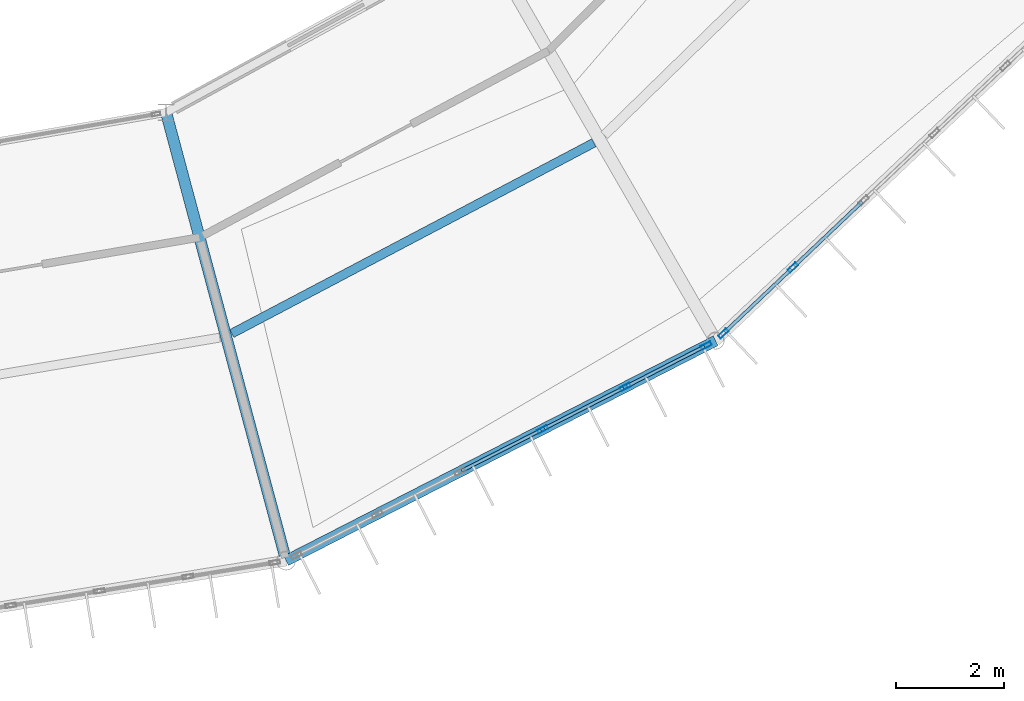
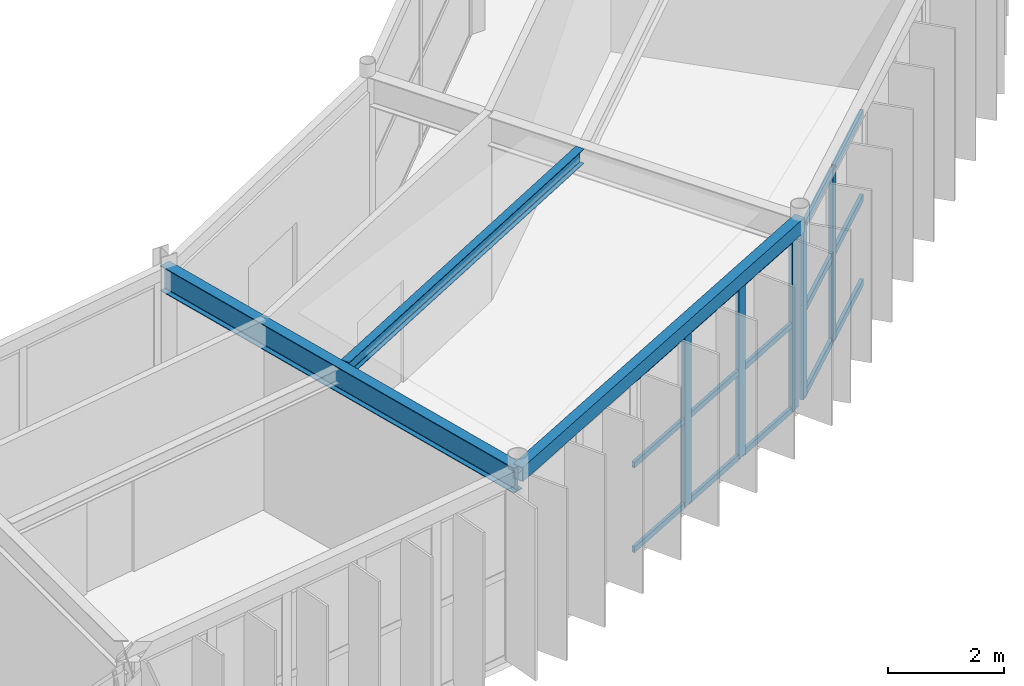
# One storey, part 49 of 148: 20 members, 3 beams, 2 elements without a shape of their own.
"""IFC4 building model written with IfcOpenShell, lengths in metres."""

import ifcopenshell
import ifcopenshell.guid

model = None  # the IFC model being written
_history = None  # IfcOwnerHistory: only IFC2X3 demands one
_inside = {}  # id of a spatial element -> (the spatial element, [elements in it])
_under = {}  # id of a project, library or spatial element -> (it, [spatial elements below it])
_declared = {}  # id of a project -> (the project, [libraries it declares])
_typed = {}  # id of a type object -> (the type object, [elements of that type])
_made_of = {}  # id of a material, layer set ... -> (it, [elements and type objects made of it])


def new_model(schema):
    """Start an empty IFC model of exactly this schema.

    Asked for "IFC4X3", IfcOpenShell would pick the latest addendum, in which some entities
    have other attributes; the version numbers below select the first issue.
    IFC2X3 requires an IfcOwnerHistory on every rooted entity: one is made here for all.
    """
    global model, _history
    if schema == "IFC4X3":
        model = ifcopenshell.file(schema_version=(4, 3, 0, 0))
    else:
        model = ifcopenshell.file(schema=schema)
    _inside.clear()
    _under.clear()
    _declared.clear()
    _typed.clear()
    _made_of.clear()
    _history = None
    if model.schema == "IFC2X3":
        org = make("IfcOrganization", Name="unknown")
        user = make(
            "IfcPersonAndOrganization",
            ThePerson=make("IfcPerson", FamilyName="unknown"),
            TheOrganization=org,
        )
        app = make(
            "IfcApplication",
            ApplicationDeveloper=org,
            Version="unknown",
            ApplicationFullName="unknown",
            ApplicationIdentifier="unknown",
        )
        _history = make(
            "IfcOwnerHistory",
            OwningUser=user,
            OwningApplication=app,
            ChangeAction="ADDED",
            CreationDate=0,
        )
    return model


def make(cls, **values):
    """One entity of the class cls with the attributes given. An attribute that is None is left unset."""
    return model.create_entity(
        cls, **{name: value for name, value in values.items() if value is not None}
    )


def rooted(cls, **values):
    """An entity with a GlobalId (a new one), such as an element, a storey or a relation."""
    return make(cls, GlobalId=ifcopenshell.guid.new(), OwnerHistory=_history, **values)


def si_unit(unit_type, name, prefix=None):
    """IfcSIUnit, for example si_unit("LENGTHUNIT", "METRE", prefix="MILLI")."""
    return make("IfcSIUnit", UnitType=unit_type, Prefix=prefix, Name=name)


def assignment(units):
    """IfcUnitAssignment: the units of a project."""
    return None if units is None else make("IfcUnitAssignment", Units=units)


def point(xyz):
    """IfcCartesianPoint."""
    return None if xyz is None else make("IfcCartesianPoint", Coordinates=xyz)


def direction(xyz):
    """IfcDirection."""
    return None if xyz is None else make("IfcDirection", DirectionRatios=xyz)


def frame(location, z_axis=None, x_axis=None):
    """IfcAxis2Placement3D, a coordinate frame: its origin and axes. An axis left out is left unset."""
    return make(
        "IfcAxis2Placement3D",
        Location=point(location),
        Axis=direction(z_axis),
        RefDirection=direction(x_axis),
    )


def frame_2d(location, x_axis=None):
    """IfcAxis2Placement2D, a coordinate frame in the plane: its origin and x axis."""
    return make(
        "IfcAxis2Placement2D", Location=point(location), RefDirection=direction(x_axis)
    )


def origin():
    """The frame at (0, 0, 0) with its axes left unset."""
    return frame((0.0, 0.0, 0.0))


def origin_2d():
    """The frame at (0, 0) in the plane with its x axis left unset."""
    return frame_2d((0.0, 0.0))


def place(relative_to, where):
    """IfcLocalPlacement: puts the frame where relative to a parent placement (None: the world)."""
    return make(
        "IfcLocalPlacement", PlacementRelTo=relative_to, RelativePlacement=where
    )


def context(
    kind, dimensions, precision=None, world=None, true_north=None, identifier=None
):
    """IfcGeometricRepresentationContext, for example the 3D "Model" context."""
    return make(
        "IfcGeometricRepresentationContext",
        ContextIdentifier=identifier,
        ContextType=kind,
        CoordinateSpaceDimension=dimensions,
        Precision=precision,
        WorldCoordinateSystem=world,
        TrueNorth=true_north,
    )


def subcontext(parent, identifier, kind, view, scale=None):
    """IfcGeometricRepresentationSubContext, for example "Body" below "Model"."""
    return make(
        "IfcGeometricRepresentationSubContext",
        ContextIdentifier=identifier,
        ContextType=kind,
        ParentContext=parent,
        TargetScale=scale,
        TargetView=view,
    )


def project(units=None, contexts=None):
    """IfcProject with its units and contexts."""
    return rooted(
        "IfcProject",
        Name="project",
        RepresentationContexts=contexts,
        UnitsInContext=assignment(units),
    )


def spatial(cls, under=None, at=None, **own):
    """A site, building, storey or space (cls), placed at a placement, below another one or the project."""
    s = rooted(cls, ObjectPlacement=at, **own)
    if under is not None:
        _under.setdefault(under.id(), (under, []))[1].append(s)
    return s


def profile(cls, at=None, kind="AREA", **sizes):
    """A parametric profile (cls). Its sizes go by their IFC names, for example OverallWidth=200.0."""
    return make(cls, ProfileType=kind, Position=at, **sizes)


def hollow_rectangle(**sizes):
    """IfcRectangleHollowProfileDef."""
    return profile("IfcRectangleHollowProfileDef", **sizes)


def i_section(**sizes):
    """IfcIShapeProfileDef."""
    return profile("IfcIShapeProfileDef", **sizes)


def extrude(swept, where, along, depth):
    """IfcExtrudedAreaSolid: the profile swept, set in the frame where, extruded along a direction by depth."""
    return make(
        "IfcExtrudedAreaSolid",
        SweptArea=swept,
        Position=where,
        ExtrudedDirection=direction(along),
        Depth=depth,
    )


def shape(context_of_items, identifier, shape_type, items):
    """IfcShapeRepresentation: the items that make up one representation, for example the "Body"."""
    return make(
        "IfcShapeRepresentation",
        ContextOfItems=context_of_items,
        RepresentationIdentifier=identifier,
        RepresentationType=shape_type,
        Items=items,
    )


def material(Name=None, Category=None):
    """IfcMaterial."""
    return make("IfcMaterial", Name=Name, Category=Category)


def material_profile(
    of_material, cross_section, Name=None, Category=None, Priority=None
):
    """IfcMaterialProfile: a cross section and its material."""
    return make(
        "IfcMaterialProfile",
        Name=Name,
        Material=of_material,
        Profile=cross_section,
        Priority=Priority,
        Category=Category,
    )


def profile_set(profiles, Name=None, composite=None):
    """IfcMaterialProfileSet."""
    return make(
        "IfcMaterialProfileSet",
        Name=Name,
        MaterialProfiles=profiles,
        CompositeProfile=composite,
    )


def made_of(thing, what):
    """Note that an element or type object is made of a material, layer set ...; save() writes the relation."""
    if what is not None:
        _made_of.setdefault(what.id(), (what, []))[1].append(thing)
    return thing


def type_object(cls, material=None, **own):
    """A type object (cls), such as IfcWallType, which elements share."""
    return made_of(rooted(cls, **own), material)


def element(
    cls,
    number,
    at=None,
    inside=None,
    cuts=None,
    type_object=None,
    material=None,
    context=None,
    identifier="Body",
    shape_type=None,
    held_by="IfcProductDefinitionShape",
    body=None,
    shapes=None,
    **own,
):
    """One element of the class cls, such as IfcWall. Its Tag is "e" and its number.

    at: its placement. inside: the storey or other place that contains it. cuts: it is an
    opening in that element (IfcRelVoidsElement). A single representation is given by context,
    identifier, shape_type and body (its items); several are given by shapes. held_by: the class
    of the entity that holds the representations. save() writes the other relations.
    """
    e = rooted(cls, Tag="e%d" % number, ObjectPlacement=at, **own)
    if body is not None:
        shapes = [shape(context, identifier, shape_type, body)]
    if shapes is not None:
        e.Representation = make(held_by, Representations=shapes)
    if inside is not None:
        _inside.setdefault(inside.id(), (inside, []))[1].append(e)
    if cuts is not None:
        rooted(
            "IfcRelVoidsElement", RelatingBuildingElement=cuts, RelatedOpeningElement=e
        )
    if type_object is not None:
        _typed.setdefault(type_object.id(), (type_object, []))[1].append(e)
    return made_of(e, material)


def aggregate(whole, parts):
    """IfcRelAggregates: a whole, such as a stair, and the parts it consists of."""
    return rooted("IfcRelAggregates", RelatingObject=whole, RelatedObjects=parts)


def save(model, path):
    """Write the relations noted so far, then the file.

    IfcRelAggregates (storeys below a building ...), IfcRelContainedInSpatialStructure (elements
    in a storey), IfcRelDefinesByType, IfcRelAssociatesMaterial and IfcRelDeclares: one each for
    every whole, place, type object, material and project.
    """
    for whole, parts in _under.values():
        aggregate(whole, parts)
    for where, things in _inside.values():
        rooted(
            "IfcRelContainedInSpatialStructure",
            RelatedElements=things,
            RelatingStructure=where,
        )
    for kind, things in _typed.values():
        rooted("IfcRelDefinesByType", RelatedObjects=things, RelatingType=kind)
    for what, things in _made_of.values():
        rooted("IfcRelAssociatesMaterial", RelatedObjects=things, RelatingMaterial=what)
    for by, libraries in _declared.values():
        rooted("IfcRelDeclares", RelatingContext=by, RelatedDefinitions=libraries)
    model.write(path)


model = new_model("IFC4")

# Units and contexts
model_context = context("Model", 3, precision=1e-05, world=origin(), true_north=direction((0.0, 1.0)))
body_context = subcontext(model_context, "Body", "Model", "MODEL_VIEW")
ifc_project = project(units=[si_unit("LENGTHUNIT", "METRE"), si_unit("AREAUNIT", "SQUARE_METRE"), si_unit("VOLUMEUNIT", "CUBIC_METRE"), si_unit("PLANEANGLEUNIT", "RADIAN"), si_unit("MASSUNIT", "GRAM", prefix="KILO")], contexts=[model_context])

# Site, building, storey
site_placement = place(None, origin())
site = spatial("IfcSite", under=ifc_project, at=site_placement, CompositionType="ELEMENT")
building_placement = place(site_placement, origin())
building = spatial("IfcBuilding", under=site, at=building_placement, Name="Karori Crest Natural Sciences Institute", CompositionType="ELEMENT")
storey_placement = place(building_placement, frame((0.0, 0.0, 4.89990234375)))
storey = spatial("IfcBuildingStorey", under=building, at=storey_placement, Name="L01", CompositionType="ELEMENT", Elevation=4.89990234375)

# Beams
ifc_material_1 = material(Name="Structural steel AS/NZS 3679.1 Grade 350", Category="steel")
ifc_material_profile_1 = material_profile(ifc_material_1, i_section(OverallWidth=0.208984375, OverallDepth=0.532958984375, WebThickness=0.01025390625, FlangeThickness=0.015625, FilletRadius=0.013916015625, at=origin_2d()), Name="530UB92.4")
ifc_profile_set_1 = profile_set([ifc_material_profile_1], Name="Structural steel AS/NZS 3679.1 Grade 350")
beam_type_1 = type_object("IfcBeamType", Name="BT-05", PredefinedType="BEAM", material=ifc_profile_set_1)
beam_1_placement = place(storey_placement, frame((72.715087890625, 18.797119140625, 3.673583984375), z_axis=(0.258819806009, -0.965925622404, 0.0), x_axis=(0.965925622404, 0.258819806009, 0.0)))
element("IfcBeam", 1, at=beam_1_placement, inside=storey, type_object=beam_type_1, Name="Beam B-0254", PredefinedType="BEAM", context=body_context, shape_type="SweptSolid", body=[
    extrude(i_section(OverallWidth=0.208984375, OverallDepth=0.532958984375, WebThickness=0.01025390625, FlangeThickness=0.015625, FilletRadius=0.013916015625, at=origin_2d()), origin(), (0.0, 0.0, 1.0), 8.599853515625),
])
ifc_material_profile_2 = material_profile(ifc_material_1, i_section(OverallWidth=0.166015625, OverallDepth=0.306884765625, WebThickness=0.006591796875, FlangeThickness=0.01171875, FilletRadius=0.010986328125, at=origin_2d()), Name="310UB46.2")
ifc_profile_set_2 = profile_set([ifc_material_profile_2], Name="Structural steel AS/NZS 3679.1 Grade 350")
beam_type_2 = type_object("IfcBeamType", Name="BT-09", PredefinedType="BEAM", material=ifc_profile_set_2)
beam_2_placement = place(storey_placement, frame((73.934326171875, 14.69970703125, 3.78662109375), z_axis=(0.884748465601, 0.466068828197, 0.0), x_axis=(-0.466068828197, 0.884748465601, 0.0)))
element("IfcBeam", 2, at=beam_2_placement, inside=storey, type_object=beam_type_2, Name="Beam B-0255", PredefinedType="BEAM", context=body_context, shape_type="SweptSolid", body=[
    extrude(i_section(OverallWidth=0.166015625, OverallDepth=0.306884765625, WebThickness=0.006591796875, FlangeThickness=0.01171875, FilletRadius=0.010986328125, at=origin_2d()), origin(), (0.0, 0.0, 1.0), 7.58349609375),
])
ifc_material_2 = material(Name="Hollow structural steel AS/NZS 1163 Grade C350", Category="steel")
ifc_material_profile_3 = material_profile(ifc_material_2, hollow_rectangle(XDim=0.199951171875, YDim=0.300048828125, WallThickness=0.010009765625, at=origin_2d()), Name="RHS300x200x10")
ifc_profile_set_3 = profile_set([ifc_material_profile_3], Name="Hollow structural steel AS/NZS 1163 Grade C350")
beam_type_3 = type_object("IfcBeamType", Name="BT-15", PredefinedType="SPANDREL", material=ifc_profile_set_3)
beam_3_placement = place(storey_placement, frame((74.94091796875, 10.490234375, 3.7900390625), z_axis=(0.890071733872, 0.455820478436, 0.0), x_axis=(-0.455820478436, 0.890071733872, 0.0)))
element("IfcBeam", 3, at=beam_3_placement, inside=storey, type_object=beam_type_3, Name="Beam B-0252", PredefinedType="SPANDREL", context=body_context, shape_type="SweptSolid", body=[
    extrude(hollow_rectangle(XDim=0.199951171875, YDim=0.300048828125, WallThickness=0.010009765625, at=origin_2d()), origin(), (0.0, 0.0, 1.0), 8.94189453125),
])

# Curtain wall, members
ifc_material_3 = material(Name="Anodised architectural aluminium 6063-T6", Category="aluminium")
curtain_wall_type_1 = type_object("IfcCurtainWallType", Name="CWT-10", PredefinedType="NOTDEFINED", material=ifc_material_3)
curtain_wall_1_placement = place(storey_placement, origin())
curtain_wall_1 = element("IfcCurtainWall", 4, at=curtain_wall_1_placement, inside=storey, type_object=curtain_wall_type_1, Name="Curtain wall CW-0058", PredefinedType="NOTDEFINED")
ifc_material_profile_4 = material_profile(ifc_material_3, hollow_rectangle(XDim=0.074951171875, YDim=0.199951171875, WallThickness=0.0048828125, at=origin_2d()), Name="CWM200x75x5")
ifc_profile_set_4 = profile_set([ifc_material_profile_4], Name="Anodised architectural aluminium 6063-T6")
member_type_1 = type_object("IfcMemberType", Name="CWM-02", PredefinedType="MULLION", material=ifc_profile_set_4)
member_1_placement = place(storey_placement, frame((82.72412109375, 14.476318359375, 0.0), z_axis=(0.0, 0.0, 1.0), x_axis=(0.455832988828, -0.890065326982, 0.0)))
member_1 = element("IfcMember", 5, at=member_1_placement, type_object=member_type_1, Name="CW-0058 mullion 1", PredefinedType="MULLION", context=body_context, shape_type="SweptSolid", body=[
    extrude(hollow_rectangle(XDim=0.074951171875, YDim=0.199951171875, WallThickness=0.0048828125, at=origin_2d()), origin(), (0.0, 0.0, 1.0), 3.625),
])
member_2_placement = place(storey_placement, frame((81.2255859375, 13.708740234375, 0.0), z_axis=(0.0, 0.0, 1.0), x_axis=(0.455832988828, -0.890065326982, 0.0)))
member_2 = element("IfcMember", 6, at=member_2_placement, type_object=member_type_1, Name="CW-0058 mullion 2", PredefinedType="MULLION", context=body_context, shape_type="SweptSolid", body=[
    extrude(hollow_rectangle(XDim=0.074951171875, YDim=0.199951171875, WallThickness=0.0048828125, at=origin_2d()), origin(), (0.0, 0.0, 1.0), 3.625),
])
member_3_placement = place(storey_placement, frame((79.693603515625, 12.924072265625, 0.0), z_axis=(0.0, 0.0, 1.0), x_axis=(0.455832988828, -0.890065326982, 0.0)))
member_3 = element("IfcMember", 7, at=member_3_placement, type_object=member_type_1, Name="CW-0058 mullion 3", PredefinedType="MULLION", context=body_context, shape_type="SweptSolid", body=[
    extrude(hollow_rectangle(XDim=0.074951171875, YDim=0.199951171875, WallThickness=0.0048828125, at=origin_2d()), origin(), (0.0, 0.0, 1.0), 3.625),
])

curtain_wall_type_2 = type_object("IfcCurtainWallType", Name="CWT-01", PredefinedType="NOTDEFINED", material=ifc_material_3)
curtain_wall_2_placement = place(storey_placement, origin())
curtain_wall_2 = element("IfcCurtainWall", 8, at=curtain_wall_2_placement, inside=storey, type_object=curtain_wall_type_2, Name="Curtain wall CW-0059", PredefinedType="NOTDEFINED")
member_4_placement = place(storey_placement, frame((84.3291015625, 15.921875, 0.0), z_axis=(0.0, 0.0, 1.0), x_axis=(0.688250886925, -0.725472753897, 0.0)))
member_4 = element("IfcMember", 9, at=member_4_placement, type_object=member_type_1, Name="CW-0059 mullion 5", PredefinedType="MULLION", context=body_context, shape_type="SweptSolid", body=[
    extrude(hollow_rectangle(XDim=0.074951171875, YDim=0.199951171875, WallThickness=0.0048828125, at=origin_2d()), origin(), (0.0, 0.0, 1.0), 3.625),
])
member_5_placement = place(storey_placement, frame((83.043212890625, 14.7021484375, 0.0), z_axis=(0.0, 0.0, 1.0), x_axis=(0.688250886925, -0.725472753897, 0.0)))
member_5 = element("IfcMember", 10, at=member_5_placement, type_object=member_type_1, Name="CW-0059 mullion 6", PredefinedType="MULLION", context=body_context, shape_type="SweptSolid", body=[
    extrude(hollow_rectangle(XDim=0.074951171875, YDim=0.199951171875, WallThickness=0.0048828125, at=origin_2d()), origin(), (0.0, 0.0, 1.0), 3.625),
])

# Member
ifc_material_profile_5 = material_profile(ifc_material_3, hollow_rectangle(XDim=0.06005859375, YDim=0.1201171875, WallThickness=0.00390625, at=origin_2d()), Name="CWT120x60x4")
ifc_profile_set_5 = profile_set([ifc_material_profile_5], Name="Anodised architectural aluminium 6063-T6")
member_type_2 = type_object("IfcMemberType", Name="CWT-TR1", PredefinedType="USERDEFINED", material=ifc_profile_set_5)
member_6_placement = place(storey_placement, frame((82.69091796875, 14.459228515625, 0.030029296875), z_axis=(-0.890044866674, -0.455872937679, 0.0), x_axis=(0.455872937679, -0.890044866674, 0.0)))
member_6 = element("IfcMember", 11, at=member_6_placement, type_object=member_type_2, Name="CW-0058 transom 1.1", ObjectType="TRANSOM", PredefinedType="USERDEFINED", context=body_context, shape_type="SweptSolid", body=[
    extrude(hollow_rectangle(XDim=0.06005859375, YDim=0.1201171875, WallThickness=0.00390625, at=origin_2d()), origin(), (0.0, 0.0, 1.0), 1.60888671875),
])

member_7_placement = place(storey_placement, frame((82.69091796875, 14.459228515625, 1.8125), z_axis=(-0.890044866674, -0.455872937679, 0.0), x_axis=(0.455872937679, -0.890044866674, 0.0)))
member_7 = element("IfcMember", 12, at=member_7_placement, type_object=member_type_2, Name="CW-0058 transom 1.2", ObjectType="TRANSOM", PredefinedType="USERDEFINED", context=body_context, shape_type="SweptSolid", body=[
    extrude(hollow_rectangle(XDim=0.06005859375, YDim=0.1201171875, WallThickness=0.00390625, at=origin_2d()), origin(), (0.0, 0.0, 1.0), 1.60888671875),
])

member_8_placement = place(storey_placement, frame((82.69091796875, 14.459228515625, 3.59521484375), z_axis=(-0.890044866674, -0.455872937679, 0.0), x_axis=(0.455872937679, -0.890044866674, 0.0)))
member_8 = element("IfcMember", 13, at=member_8_placement, type_object=member_type_2, Name="CW-0058 transom 1.3", ObjectType="TRANSOM", PredefinedType="USERDEFINED", context=body_context, shape_type="SweptSolid", body=[
    extrude(hollow_rectangle(XDim=0.06005859375, YDim=0.1201171875, WallThickness=0.00390625, at=origin_2d()), origin(), (0.0, 0.0, 1.0), 1.60888671875),
])

member_9_placement = place(storey_placement, frame((81.192138671875, 13.691650390625, 0.030029296875), z_axis=(-0.890024283327, -0.455913122304, 0.0), x_axis=(0.455913122304, -0.890024283327, 0.0)))
member_9 = element("IfcMember", 14, at=member_9_placement, type_object=member_type_2, Name="CW-0058 transom 2.1", ObjectType="TRANSOM", PredefinedType="USERDEFINED", context=body_context, shape_type="SweptSolid", body=[
    extrude(hollow_rectangle(XDim=0.06005859375, YDim=0.1201171875, WallThickness=0.00390625, at=origin_2d()), origin(), (0.0, 0.0, 1.0), 1.646240234375),
])

member_10_placement = place(storey_placement, frame((81.192138671875, 13.691650390625, 1.8125), z_axis=(-0.890024283327, -0.455913122304, 0.0), x_axis=(0.455913122304, -0.890024283327, 0.0)))
member_10 = element("IfcMember", 15, at=member_10_placement, type_object=member_type_2, Name="CW-0058 transom 2.2", ObjectType="TRANSOM", PredefinedType="USERDEFINED", context=body_context, shape_type="SweptSolid", body=[
    extrude(hollow_rectangle(XDim=0.06005859375, YDim=0.1201171875, WallThickness=0.00390625, at=origin_2d()), origin(), (0.0, 0.0, 1.0), 1.646240234375),
])

member_11_placement = place(storey_placement, frame((81.192138671875, 13.691650390625, 3.59521484375), z_axis=(-0.890024283327, -0.455913122304, 0.0), x_axis=(0.455913122304, -0.890024283327, 0.0)))
member_11 = element("IfcMember", 16, at=member_11_placement, type_object=member_type_2, Name="CW-0058 transom 2.3", ObjectType="TRANSOM", PredefinedType="USERDEFINED", context=body_context, shape_type="SweptSolid", body=[
    extrude(hollow_rectangle(XDim=0.06005859375, YDim=0.1201171875, WallThickness=0.00390625, at=origin_2d()), origin(), (0.0, 0.0, 1.0), 1.646240234375),
])

member_12_placement = place(storey_placement, frame((79.66015625, 12.906982421875, 0.030029296875), z_axis=(-0.890055105015, -0.45585294782, 0.0), x_axis=(0.45585294782, -0.890055105015, 0.0)))
member_12 = element("IfcMember", 17, at=member_12_placement, type_object=member_type_2, Name="CW-0058 transom 3.1", ObjectType="TRANSOM", PredefinedType="USERDEFINED", context=body_context, shape_type="SweptSolid", body=[
    extrude(hollow_rectangle(XDim=0.06005859375, YDim=0.1201171875, WallThickness=0.00390625, at=origin_2d()), origin(), (0.0, 0.0, 1.0), 1.646240234375),
])

member_13_placement = place(storey_placement, frame((79.66015625, 12.906982421875, 1.8125), z_axis=(-0.890055105015, -0.45585294782, 0.0), x_axis=(0.45585294782, -0.890055105015, 0.0)))
member_13 = element("IfcMember", 18, at=member_13_placement, type_object=member_type_2, Name="CW-0058 transom 3.2", ObjectType="TRANSOM", PredefinedType="USERDEFINED", context=body_context, shape_type="SweptSolid", body=[
    extrude(hollow_rectangle(XDim=0.06005859375, YDim=0.1201171875, WallThickness=0.00390625, at=origin_2d()), origin(), (0.0, 0.0, 1.0), 1.646240234375),
])

member_14_placement = place(storey_placement, frame((79.66015625, 12.906982421875, 3.59521484375), z_axis=(-0.890055105015, -0.45585294782, 0.0), x_axis=(0.45585294782, -0.890055105015, 0.0)))
member_14 = element("IfcMember", 19, at=member_14_placement, type_object=member_type_2, Name="CW-0058 transom 3.3", ObjectType="TRANSOM", PredefinedType="USERDEFINED", context=body_context, shape_type="SweptSolid", body=[
    extrude(hollow_rectangle(XDim=0.06005859375, YDim=0.1201171875, WallThickness=0.00390625, at=origin_2d()), origin(), (0.0, 0.0, 1.0), 1.646240234375),
])

aggregate(curtain_wall_1, [member_1, member_2, member_3, member_6, member_7, member_8, member_9, member_10, member_11, member_12, member_13, member_14])

ifc_material_profile_6 = material_profile(ifc_material_3, hollow_rectangle(XDim=0.06494140625, YDim=0.14990234375, WallThickness=0.00390625, at=origin_2d()), Name="CWT150x65x4")
ifc_profile_set_6 = profile_set([ifc_material_profile_6], Name="Anodised architectural aluminium 6063-T6")
member_type_3 = type_object("IfcMemberType", Name="CWT-TR2", PredefinedType="USERDEFINED", material=ifc_profile_set_6)
member_15_placement = place(storey_placement, frame((85.61474609375, 17.1416015625, 0.03271484375), z_axis=(-0.72543847461, -0.688287018296, 0.0), x_axis=(0.688287018296, -0.72543847461, 0.0)))
member_15 = element("IfcMember", 20, at=member_15_placement, type_object=member_type_3, Name="CW-0059 transom 4.1", ObjectType="TRANSOM", PredefinedType="USERDEFINED", context=body_context, shape_type="SweptSolid", body=[
    extrude(hollow_rectangle(XDim=0.06494140625, YDim=0.14990234375, WallThickness=0.00390625, at=origin_2d()), origin(), (0.0, 0.0, 1.0), 1.73486328125),
])

member_16_placement = place(storey_placement, frame((85.61474609375, 17.1416015625, 1.8125), z_axis=(-0.72543847461, -0.688287018296, 0.0), x_axis=(0.688287018296, -0.72543847461, 0.0)))
member_16 = element("IfcMember", 21, at=member_16_placement, type_object=member_type_3, Name="CW-0059 transom 4.2", ObjectType="TRANSOM", PredefinedType="USERDEFINED", context=body_context, shape_type="SweptSolid", body=[
    extrude(hollow_rectangle(XDim=0.06494140625, YDim=0.14990234375, WallThickness=0.00390625, at=origin_2d()), origin(), (0.0, 0.0, 1.0), 1.73486328125),
])

member_17_placement = place(storey_placement, frame((85.61474609375, 17.1416015625, 3.592529296875), z_axis=(-0.72543847461, -0.688287018296, 0.0), x_axis=(0.688287018296, -0.72543847461, 0.0)))
member_17 = element("IfcMember", 22, at=member_17_placement, type_object=member_type_3, Name="CW-0059 transom 4.3", ObjectType="TRANSOM", PredefinedType="USERDEFINED", context=body_context, shape_type="SweptSolid", body=[
    extrude(hollow_rectangle(XDim=0.06494140625, YDim=0.14990234375, WallThickness=0.00390625, at=origin_2d()), origin(), (0.0, 0.0, 1.0), 1.73486328125),
])

member_18_placement = place(storey_placement, frame((84.3017578125, 15.89599609375, 0.03271484375), z_axis=(-0.725491325222, -0.6882313107, 0.0), x_axis=(0.6882313107, -0.725491325222, 0.0)))
member_18 = element("IfcMember", 23, at=member_18_placement, type_object=member_type_3, Name="CW-0059 transom 5.1", ObjectType="TRANSOM", PredefinedType="USERDEFINED", context=body_context, shape_type="SweptSolid", body=[
    extrude(hollow_rectangle(XDim=0.06494140625, YDim=0.14990234375, WallThickness=0.00390625, at=origin_2d()), origin(), (0.0, 0.0, 1.0), 1.697021484375),
])

member_19_placement = place(storey_placement, frame((84.3017578125, 15.89599609375, 1.8125), z_axis=(-0.725491325222, -0.6882313107, 0.0), x_axis=(0.6882313107, -0.725491325222, 0.0)))
member_19 = element("IfcMember", 24, at=member_19_placement, type_object=member_type_3, Name="CW-0059 transom 5.2", ObjectType="TRANSOM", PredefinedType="USERDEFINED", context=body_context, shape_type="SweptSolid", body=[
    extrude(hollow_rectangle(XDim=0.06494140625, YDim=0.14990234375, WallThickness=0.00390625, at=origin_2d()), origin(), (0.0, 0.0, 1.0), 1.697021484375),
])

member_20_placement = place(storey_placement, frame((84.3017578125, 15.89599609375, 3.592529296875), z_axis=(-0.725491325222, -0.6882313107, 0.0), x_axis=(0.6882313107, -0.725491325222, 0.0)))
member_20 = element("IfcMember", 25, at=member_20_placement, type_object=member_type_3, Name="CW-0059 transom 5.3", ObjectType="TRANSOM", PredefinedType="USERDEFINED", context=body_context, shape_type="SweptSolid", body=[
    extrude(hollow_rectangle(XDim=0.06494140625, YDim=0.14990234375, WallThickness=0.00390625, at=origin_2d()), origin(), (0.0, 0.0, 1.0), 1.697021484375),
])

aggregate(curtain_wall_2, [member_4, member_5, member_15, member_16, member_17, member_18, member_19, member_20])

save(model, "model.ifc")
